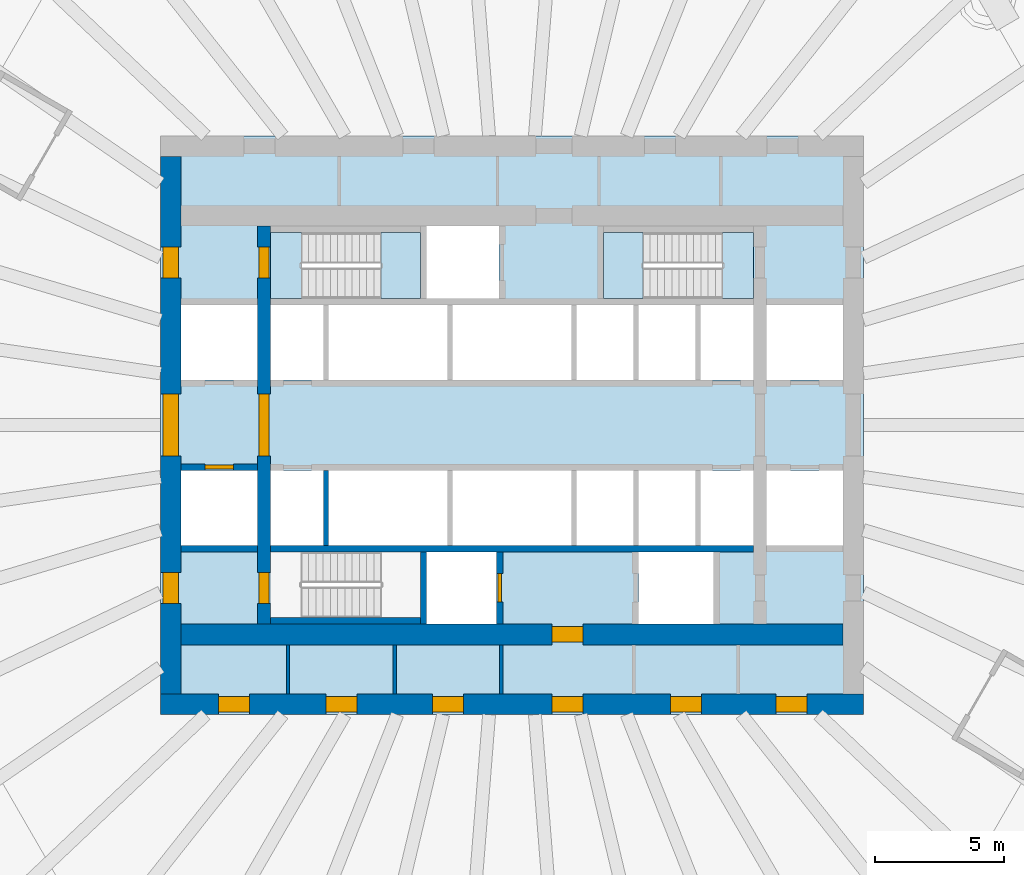
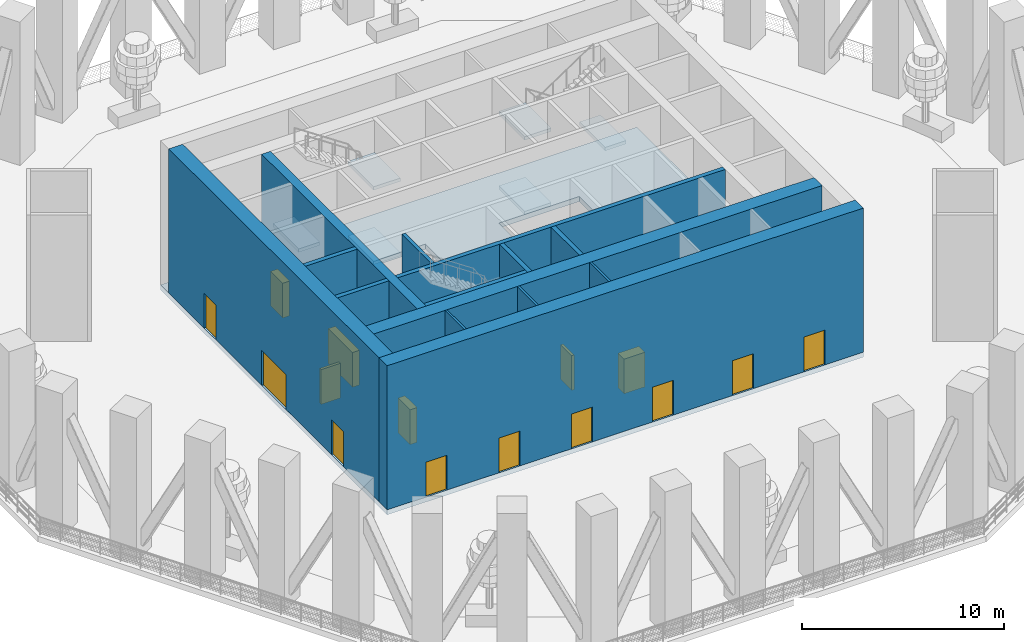
# One storey, part 3 of 10: 15 doors, 14 walls, 7 slabs, 15 openings, 2 elements without a shape of their own.
"""IFC4 building model written with IfcOpenShell, lengths in metres."""

from ifc_helpers import new_model, si_unit, direction, frame, frame_2d, origin, place, context, subcontext, project, spatial, polyline, rectangle, outline, extrude, material, layer, layer_set, type_object, element, fill, aggregate, save


model = new_model("IFC4")

# Units and contexts
model_context = context("Model", 3, precision=1e-05, world=origin(), true_north=direction((0.0, 1.0)))
body_context = subcontext(model_context, "Body", "Model", "MODEL_VIEW")
ifc_project = project(units=[si_unit("LENGTHUNIT", "METRE"), si_unit("AREAUNIT", "SQUARE_METRE"), si_unit("VOLUMEUNIT", "CUBIC_METRE"), si_unit("PLANEANGLEUNIT", "RADIAN"), si_unit("MASSUNIT", "GRAM", prefix="KILO")], contexts=[model_context])

# Site, building, storey
site_placement = place(None, origin())
site = spatial("IfcSite", under=ifc_project, at=site_placement, CompositionType="ELEMENT")
building_placement = place(site_placement, origin())
building = spatial("IfcBuilding", under=site, at=building_placement, Name="Frailejon Research Tower", CompositionType="ELEMENT")
storey_placement = place(building_placement, frame((0.0, 0.0, 71.800048828125)))
storey = spatial("IfcBuildingStorey", under=building, at=storey_placement, Name="L16", CompositionType="ELEMENT", Elevation=71.800048828125)

# Slab
ifc_material_1 = material(Name="Concrete C70/85", Category="concrete")
ifc_layer_1 = layer(ifc_material_1, 0.300048828125)
ifc_layer_set_1 = layer_set([ifc_layer_1], Name="Core floor slab 300 C70/85")
slab_type_1 = type_object("IfcSlabType", Name="Core floor slab 300 C70/85", PredefinedType="FLOOR", material=ifc_layer_set_1)
slab_1_placement = place(storey_placement, frame((0.0, 0.0, -0.300048828125)))
element("IfcSlab", 1, at=slab_1_placement, inside=storey, type_object=slab_type_1, Name="Core floor slab", PredefinedType="FLOOR", context=body_context, shape_type="SweptSolid", body=[
    extrude(outline(polyline([(13.60009765625, -11.199951171875), (13.60009765625, 11.199951171875), (-13.60009765625, 11.199951171875), (-13.60009765625, -11.199951171875), (13.60009765625, -11.199951171875)]), holes=[polyline([(-9.85009765625, 1.75), (-9.85009765625, 4.64990234375), (-12.800048828125, 4.64990234375), (-12.800048828125, 1.75), (-9.85009765625, 1.75)]), polyline([(-7.300048828125, 1.75), (-7.300048828125, 4.64990234375), (-9.35009765625, 4.64990234375), (-9.35009765625, 1.75), (-7.300048828125, 1.75)]), polyline([(-2.5, 1.75), (-2.5, 4.64990234375), (-7.10009765625, 4.64990234375), (-7.10009765625, 1.75), (-2.5, 1.75)]), polyline([(2.300048828125, 1.75), (2.300048828125, 4.64990234375), (-2.300048828125, 4.64990234375), (-2.300048828125, 1.75), (2.300048828125, 1.75)]), polyline([(4.699951171875, 1.75), (4.699951171875, 4.64990234375), (2.5, 4.64990234375), (2.5, 1.75), (4.699951171875, 1.75)]), polyline([(7.10009765625, 1.75), (7.10009765625, 4.64990234375), (4.89990234375, 4.64990234375), (4.89990234375, 1.75), (7.10009765625, 1.75)]), polyline([(9.35009765625, 1.75), (9.35009765625, 4.64990234375), (7.300048828125, 4.64990234375), (7.300048828125, 1.75), (9.35009765625, 1.75)]), polyline([(12.800048828125, 1.75), (12.800048828125, 4.64990234375), (9.85009765625, 4.64990234375), (9.85009765625, 1.75), (12.800048828125, 1.75)]), polyline([(-9.85009765625, -4.64990234375), (-9.85009765625, -1.75), (-12.800048828125, -1.75), (-12.800048828125, -4.64990234375), (-9.85009765625, -4.64990234375)]), polyline([(-7.300048828125, -4.64990234375), (-7.300048828125, -1.75), (-9.35009765625, -1.75), (-9.35009765625, -4.64990234375), (-7.300048828125, -4.64990234375)]), polyline([(-2.5, -4.64990234375), (-2.5, -1.75), (-7.10009765625, -1.75), (-7.10009765625, -4.64990234375), (-2.5, -4.64990234375)]), polyline([(2.300048828125, -4.64990234375), (2.300048828125, -1.75), (-2.300048828125, -1.75), (-2.300048828125, -4.64990234375), (2.300048828125, -4.64990234375)]), polyline([(4.699951171875, -4.64990234375), (4.699951171875, -1.75), (2.5, -1.75), (2.5, -4.64990234375), (4.699951171875, -4.64990234375)]), polyline([(7.10009765625, -4.64990234375), (7.10009765625, -1.75), (4.89990234375, -1.75), (4.89990234375, -4.64990234375), (7.10009765625, -4.64990234375)]), polyline([(9.35009765625, -4.64990234375), (9.35009765625, -1.75), (7.300048828125, -1.75), (7.300048828125, -4.64990234375), (9.35009765625, -4.64990234375)]), polyline([(12.800048828125, -4.64990234375), (12.800048828125, -1.75), (9.85009765625, -1.75), (9.85009765625, -4.64990234375), (12.800048828125, -4.64990234375)]), polyline([(-8.14697265625, 4.89990234375), (-3.550048828125, 4.89990234375), (-3.550048828125, 7.449951171875), (-8.14697265625, 7.449951171875), (-8.14697265625, 4.89990234375)]), polyline([(-8.14697265625, -7.449951171875), (-3.550048828125, -7.449951171875), (-3.550048828125, -4.89990234375), (-8.14697265625, -4.89990234375), (-8.14697265625, -7.449951171875)]), polyline([(8.14697265625, 7.449951171875), (3.550048828125, 7.449951171875), (3.550048828125, 4.89990234375), (8.14697265625, 4.89990234375), (8.14697265625, 7.449951171875)]), polyline([(-0.60009765625, -7.699951171875), (-0.60009765625, -4.89990234375), (-3.300048828125, -4.89990234375), (-3.300048828125, -7.699951171875), (-0.60009765625, -7.699951171875)]), polyline([(7.800048828125, -7.699951171875), (7.800048828125, -4.89990234375), (4.89990234375, -4.89990234375), (4.89990234375, -7.699951171875), (7.800048828125, -7.699951171875)]), polyline([(-0.5, 4.89990234375), (-0.5, 7.699951171875), (-3.300048828125, 7.699951171875), (-3.300048828125, 4.89990234375), (-0.5, 4.89990234375)])]), origin(), (0.0, 0.0, 1.0), 0.300048828125),
])

# Stair, slabs
ifc_material_2 = material(Name="Concrete C50/60", Category="concrete")
stair_type = type_object("IfcStairType", Name="Exit stair 48 risers", PredefinedType="HALF_TURN_STAIR", material=ifc_material_2)
stair_1_placement = place(storey_placement, origin())
stair_1 = element("IfcStair", 2, at=stair_1_placement, inside=storey, type_object=stair_type, Name="L16 Exit stair ST1", PredefinedType="HALF_TURN_STAIR")
ifc_material_3 = material(Name="Concrete C50/60", Category="concrete")
ifc_layer_2 = layer(ifc_material_3, 0.199951171875)
ifc_layer_set_2 = layer_set([ifc_layer_2], Name="Stair landing slab 200")
slab_type_2 = type_object("IfcSlabType", Name="Stair landing slab 200", PredefinedType="LANDING", material=ifc_layer_set_2)
slab_2_placement = place(storey_placement, frame((0.0, 0.0, 2.050048828125)))
slab_2 = element("IfcSlab", 3, at=slab_2_placement, type_object=slab_type_2, Name="ST1 landing 1", PredefinedType="LANDING", context=body_context, shape_type="SweptSolid", body=[
    extrude(outline(polyline([(-5.070068359375, 4.89990234375), (-3.550048828125, 4.89990234375), (-3.550048828125, 7.449951171875), (-5.070068359375, 7.449951171875), (-5.070068359375, 4.89990234375)])), origin(), (0.0, 0.0, 1.0), 0.199951171875),
])
slab_3_placement = place(storey_placement, frame((0.0, 0.0, 4.300048828125)))
slab_3 = element("IfcSlab", 4, at=slab_3_placement, type_object=slab_type_2, Name="ST1 landing 2", PredefinedType="LANDING", context=body_context, shape_type="SweptSolid", body=[
    extrude(outline(polyline([(-9.35009765625, 4.89990234375), (-8.14990234375, 4.89990234375), (-8.14990234375, 7.449951171875), (-9.35009765625, 7.449951171875), (-9.35009765625, 4.89990234375)])), origin(), (0.0, 0.0, 1.0), 0.199951171875),
])
slab_4_placement = place(storey_placement, frame((0.0, 0.0, 6.550048828125)))
slab_4 = element("IfcSlab", 5, at=slab_4_placement, type_object=slab_type_2, Name="ST1 landing 3", PredefinedType="LANDING", context=body_context, shape_type="SweptSolid", body=[
    extrude(outline(polyline([(-5.070068359375, 4.89990234375), (-3.550048828125, 4.89990234375), (-3.550048828125, 7.449951171875), (-5.070068359375, 7.449951171875), (-5.070068359375, 4.89990234375)])), origin(), (0.0, 0.0, 1.0), 0.199951171875),
])
aggregate(stair_1, [slab_2, slab_3, slab_4])

stair_2_placement = place(storey_placement, origin())
stair_2 = element("IfcStair", 6, at=stair_2_placement, inside=storey, type_object=stair_type, Name="L16 Exit stair ST3", PredefinedType="HALF_TURN_STAIR")
slab_5_placement = place(storey_placement, frame((0.0, 0.0, 2.050048828125)))
slab_5 = element("IfcSlab", 7, at=slab_5_placement, type_object=slab_type_2, Name="ST3 landing 1", PredefinedType="LANDING", context=body_context, shape_type="SweptSolid", body=[
    extrude(outline(polyline([(5.070068359375, 7.449951171875), (3.550048828125, 7.449951171875), (3.550048828125, 4.89990234375), (5.070068359375, 4.89990234375), (5.070068359375, 7.449951171875)])), origin(), (0.0, 0.0, 1.0), 0.199951171875),
])
slab_6_placement = place(storey_placement, frame((0.0, 0.0, 4.300048828125)))
slab_6 = element("IfcSlab", 8, at=slab_6_placement, type_object=slab_type_2, Name="ST3 landing 2", PredefinedType="LANDING", context=body_context, shape_type="SweptSolid", body=[
    extrude(outline(polyline([(9.35009765625, 7.449951171875), (8.14990234375, 7.449951171875), (8.14990234375, 4.89990234375), (9.35009765625, 4.89990234375), (9.35009765625, 7.449951171875)])), origin(), (0.0, 0.0, 1.0), 0.199951171875),
])
slab_7_placement = place(storey_placement, frame((0.0, 0.0, 6.550048828125)))
slab_7 = element("IfcSlab", 9, at=slab_7_placement, type_object=slab_type_2, Name="ST3 landing 3", PredefinedType="LANDING", context=body_context, shape_type="SweptSolid", body=[
    extrude(outline(polyline([(5.070068359375, 7.449951171875), (3.550048828125, 7.449951171875), (3.550048828125, 4.89990234375), (5.070068359375, 4.89990234375), (5.070068359375, 7.449951171875)])), origin(), (0.0, 0.0, 1.0), 0.199951171875),
])
aggregate(stair_2, [slab_5, slab_6, slab_7])

# Walls
ifc_material_4 = material(Name="Plasterboard on steel studs", Category="steel")
ifc_layer_3 = layer(ifc_material_4, 0.125)
ifc_layer_set_3 = layer_set([ifc_layer_3], Name="Core partition 125")
wall_type_1 = type_object("IfcWallType", Name="Core partition 125", PredefinedType="PARTITIONING", material=ifc_layer_set_3)
for number, where, z_axis, x_axis, name in (
    (10, (-8.6708984375, -10.39990234375, 0.0), (0.0, 0.0, 1.0), (0.0, 1.0, 0.0), "Core partition"),
    (11, (-4.541748046875, -10.39990234375, 0.0), (0.0, 0.0, 1.0), (0.0, 1.0, 0.0), "Core partition"),
    (12, (-0.41259765625, -10.39990234375, 0.0), (0.0, 0.0, 1.0), (0.0, 1.0, 0.0), "Core partition"),
):
    element("IfcWall", number, at=place(storey_placement, frame(where, z_axis=z_axis, x_axis=x_axis)), inside=storey, type_object=wall_type_1, Name=name, PredefinedType="PARTITIONING", context=body_context, shape_type="SweptSolid", body=[
        extrude(rectangle(XDim=1.89990234375, YDim=0.125, at=frame_2d((0.949951171875, 0.0))), origin(), (0.0, 0.0, 1.0), 8.699951171875),
    ])

# Wall, openings, doors
ifc_material_5 = material(Name="Concrete C70/85", Category="concrete")
ifc_layer_4 = layer(ifc_material_5, 0.5)
ifc_layer_set_4 = layer_set([ifc_layer_4], Name="Core shear wall 500 C70/85")
wall_type_2 = type_object("IfcWallType", Name="Core shear wall 500 C70/85", PredefinedType="SHEAR", material=ifc_layer_set_4)
wall_1_placement = place(storey_placement, frame((-9.60009765625, -7.699951171875, 0.0), z_axis=(0.0, 0.0, 1.0), x_axis=(0.0, 1.0, 0.0)))
wall_1 = element("IfcWall", 13, at=wall_1_placement, inside=storey, type_object=wall_type_2, Name="Core shear wall", PredefinedType="SHEAR", context=body_context, shape_type="SweptSolid", body=[
    extrude(rectangle(XDim=15.39990234375, YDim=0.5, at=frame_2d((7.699951171875, 0.0))), origin(), (0.0, 0.0, 1.0), 8.699951171875),
])
opening_1_placement = place(wall_1_placement, frame((6.5, 0.0, 0.0)))
opening_1 = element("IfcOpeningElement", 14, at=opening_1_placement, cuts=wall_1, Name="Opening D2", PredefinedType="OPENING", context=body_context, shape_type="SweptSolid", body=[
    extrude(rectangle(XDim=2.39990234375, YDim=2.10009765625, at=frame_2d((1.199951171875, 1.050048828125))), frame((0.0, 0.260009765625, 0.0), z_axis=(0.0, -1.0, 0.0), x_axis=(1.0, 0.0, 0.0)), (0.0, 0.0, 1.0), 0.52001953125),
])
opening_2_placement = place(wall_1_placement, frame((13.39990234375, 0.0, 0.0)))
opening_2 = element("IfcOpeningElement", 15, at=opening_2_placement, cuts=wall_1, Name="Opening D1", PredefinedType="OPENING", context=body_context, shape_type="SweptSolid", body=[
    extrude(rectangle(XDim=1.199951171875, YDim=2.10009765625, at=frame_2d((0.60009765625, 1.050048828125))), frame((0.0, 0.260009765625, 0.0), z_axis=(0.0, -1.0, 0.0), x_axis=(1.0, 0.0, 0.0)), (0.0, 0.0, 1.0), 0.52001953125),
])
opening_3_placement = place(wall_1_placement, frame((0.800048828125, 0.0, 0.0)))
opening_3 = element("IfcOpeningElement", 16, at=opening_3_placement, cuts=wall_1, Name="Opening D1", PredefinedType="OPENING", context=body_context, shape_type="SweptSolid", body=[
    extrude(rectangle(XDim=1.199951171875, YDim=2.10009765625, at=frame_2d((0.60009765625, 1.050048828125))), frame((0.0, 0.260009765625, 0.0), z_axis=(0.0, -1.0, 0.0), x_axis=(1.0, 0.0, 0.0)), (0.0, 0.0, 1.0), 0.52001953125),
])
ifc_material_6 = material(Name="Steel", Category="steel")
door_type_1 = type_object("IfcDoorType", Name="Lobby double door", OperationType="DOUBLE_DOOR_SINGLE_SWING", PredefinedType="DOOR", material=ifc_material_6)
door_1_placement = place(opening_1_placement, origin())
door_1 = element("IfcDoor", 17, at=door_1_placement, inside=storey, type_object=door_type_1, Name="Lobby door", OperationType="DOUBLE_DOOR_SINGLE_SWING", OverallHeight=2.10009765625, OverallWidth=2.39990234375, PredefinedType="DOOR", context=body_context, shape_type="SweptSolid", body=[
    extrude(rectangle(XDim=2.39990234375, YDim=2.10009765625, at=frame_2d((1.199951171875, 1.050048828125))), frame((0.0, 0.199951171875, 0.0), z_axis=(0.0, -1.0, 0.0), x_axis=(1.0, 0.0, 0.0)), (0.0, 0.0, 1.0), 0.39990234375),
])
fill(opening_1, door_1)
ifc_material_7 = material(Name="Steel", Category="steel")
door_type_2 = type_object("IfcDoorType", Name="Stair door", OperationType="SINGLE_SWING_LEFT", PredefinedType="DOOR", material=ifc_material_7)
door_2_placement = place(opening_2_placement, origin())
door_2 = element("IfcDoor", 18, at=door_2_placement, inside=storey, type_object=door_type_2, Name="Stair door ST1", OperationType="SINGLE_SWING_RIGHT", OverallHeight=2.10009765625, OverallWidth=1.199951171875, PredefinedType="DOOR", context=body_context, shape_type="SweptSolid", body=[
    extrude(rectangle(XDim=1.199951171875, YDim=2.10009765625, at=frame_2d((0.60009765625, 1.050048828125))), frame((0.0, 0.199951171875, 0.0), z_axis=(0.0, -1.0, 0.0), x_axis=(1.0, 0.0, 0.0)), (0.0, 0.0, 1.0), 0.39990234375),
])
fill(opening_2, door_2)
door_3_placement = place(opening_3_placement, origin())
door_3 = element("IfcDoor", 19, at=door_3_placement, inside=storey, type_object=door_type_2, Name="Stair door ST2", OperationType="SINGLE_SWING_RIGHT", OverallHeight=2.10009765625, OverallWidth=1.199951171875, PredefinedType="DOOR", context=body_context, shape_type="SweptSolid", body=[
    extrude(rectangle(XDim=1.199951171875, YDim=2.10009765625, at=frame_2d((0.60009765625, 1.050048828125))), frame((0.0, 0.199951171875, 0.0), z_axis=(0.0, -1.0, 0.0), x_axis=(1.0, 0.0, 0.0)), (0.0, 0.0, 1.0), 0.39990234375),
])
fill(opening_3, door_3)

ifc_material_8 = material(Name="Concrete C70/85", Category="concrete")
ifc_layer_5 = layer(ifc_material_8, 0.800048828125)
ifc_layer_set_5 = layer_set([ifc_layer_5], Name="Core shear wall 800 C70/85")
wall_type_3 = type_object("IfcWallType", Name="Core shear wall 800 C70/85", PredefinedType="SHEAR", material=ifc_layer_set_5)
wall_2_placement = place(storey_placement, frame((-13.60009765625, -10.800048828125, 0.0), z_axis=(0.0, 0.0, 1.0), x_axis=(1.0, 0.0, 0.0)))
wall_2 = element("IfcWall", 20, at=wall_2_placement, inside=storey, type_object=wall_type_3, Name="Core shear wall", PredefinedType="SHEAR", context=body_context, shape_type="SweptSolid", body=[
    extrude(rectangle(XDim=27.2001953125, YDim=0.800048828125, at=frame_2d((13.60009765625, 0.0))), origin(), (0.0, 0.0, 1.0), 8.699951171875),
])
opening_4_placement = place(wall_2_placement, frame((2.2333984375, 0.0, 0.0)))
opening_4 = element("IfcOpeningElement", 21, at=opening_4_placement, cuts=wall_2, Name="Opening D6", PredefinedType="OPENING", context=body_context, shape_type="SweptSolid", body=[
    extrude(rectangle(XDim=1.199951171875, YDim=2.10009765625, at=frame_2d((0.60009765625, 1.050048828125))), frame((0.0, 0.409912109375, 0.0), z_axis=(0.0, -1.0, 0.0), x_axis=(1.0, 0.0, 0.0)), (0.0, 0.0, 1.0), 0.820068359375),
])
opening_5_placement = place(wall_2_placement, frame((6.393798828125, 0.0, 0.0)))
opening_5 = element("IfcOpeningElement", 22, at=opening_5_placement, cuts=wall_2, Name="Opening D6", PredefinedType="OPENING", context=body_context, shape_type="SweptSolid", body=[
    extrude(rectangle(XDim=1.199951171875, YDim=2.10009765625, at=frame_2d((0.60009765625, 1.050048828125))), frame((0.0, 0.409912109375, 0.0), z_axis=(0.0, -1.0, 0.0), x_axis=(1.0, 0.0, 0.0)), (0.0, 0.0, 1.0), 0.820068359375),
])
opening_6_placement = place(wall_2_placement, frame((10.52294921875, 0.0, 0.0)))
opening_6 = element("IfcOpeningElement", 23, at=opening_6_placement, cuts=wall_2, Name="Opening D6", PredefinedType="OPENING", context=body_context, shape_type="SweptSolid", body=[
    extrude(rectangle(XDim=1.199951171875, YDim=2.10009765625, at=frame_2d((0.60009765625, 1.050048828125))), frame((0.0, 0.409912109375, 0.0), z_axis=(0.0, -1.0, 0.0), x_axis=(1.0, 0.0, 0.0)), (0.0, 0.0, 1.0), 0.820068359375),
])
opening_7_placement = place(wall_2_placement, frame((19.734375, 0.0, 0.0)))
opening_7 = element("IfcOpeningElement", 24, at=opening_7_placement, cuts=wall_2, Name="Opening D6", PredefinedType="OPENING", context=body_context, shape_type="SweptSolid", body=[
    extrude(rectangle(XDim=1.199951171875, YDim=2.10009765625, at=frame_2d((0.60009765625, 1.050048828125))), frame((0.0, 0.409912109375, 0.0), z_axis=(0.0, -1.0, 0.0), x_axis=(1.0, 0.0, 0.0)), (0.0, 0.0, 1.0), 0.820068359375),
])
opening_8_placement = place(wall_2_placement, frame((23.809326171875, 0.0, 0.0)))
opening_8 = element("IfcOpeningElement", 25, at=opening_8_placement, cuts=wall_2, Name="Opening D6", PredefinedType="OPENING", context=body_context, shape_type="SweptSolid", body=[
    extrude(rectangle(XDim=1.199951171875, YDim=2.10009765625, at=frame_2d((0.60009765625, 1.050048828125))), frame((0.0, 0.409912109375, 0.0), z_axis=(0.0, -1.0, 0.0), x_axis=(1.0, 0.0, 0.0)), (0.0, 0.0, 1.0), 0.820068359375),
])
opening_9_placement = place(wall_2_placement, frame((15.14990234375, 0.0, 0.0)))
opening_9 = element("IfcOpeningElement", 26, at=opening_9_placement, cuts=wall_2, Name="Opening D3", PredefinedType="OPENING", context=body_context, shape_type="SweptSolid", body=[
    extrude(rectangle(XDim=1.199951171875, YDim=2.10009765625, at=frame_2d((0.60009765625, 1.050048828125))), frame((0.0, 0.409912109375, 0.0), z_axis=(0.0, -1.0, 0.0), x_axis=(1.0, 0.0, 0.0)), (0.0, 0.0, 1.0), 0.820068359375),
])
ifc_material_9 = material(Name="Steel", Category="steel")
door_type_3 = type_object("IfcDoorType", Name="Firefighting lobby door", OperationType="SINGLE_SWING_LEFT", PredefinedType="DOOR", material=ifc_material_9)
door_4_placement = place(opening_9_placement, origin())
door_4 = element("IfcDoor", 27, at=door_4_placement, inside=storey, type_object=door_type_3, Name="Passage door", OperationType="SINGLE_SWING_RIGHT", OverallHeight=2.10009765625, OverallWidth=1.199951171875, PredefinedType="DOOR", context=body_context, shape_type="SweptSolid", body=[
    extrude(rectangle(XDim=1.199951171875, YDim=2.10009765625, at=frame_2d((0.60009765625, 1.050048828125))), frame((0.0, 0.300048828125, 0.0), z_axis=(0.0, -1.0, 0.0), x_axis=(1.0, 0.0, 0.0)), (0.0, 0.0, 1.0), 0.60009765625),
])
fill(opening_9, door_4)
ifc_material_10 = material(Name="Steel", Category="steel")
door_type_4 = type_object("IfcDoorType", Name="Plant door", OperationType="SINGLE_SWING_LEFT", PredefinedType="DOOR", material=ifc_material_10)
door_5_placement = place(opening_4_placement, origin())
door_5 = element("IfcDoor", 28, at=door_5_placement, inside=storey, type_object=door_type_4, Name="Room door", OperationType="SINGLE_SWING_LEFT", OverallHeight=2.10009765625, OverallWidth=1.199951171875, PredefinedType="DOOR", context=body_context, shape_type="SweptSolid", body=[
    extrude(rectangle(XDim=1.199951171875, YDim=2.10009765625, at=frame_2d((0.60009765625, 1.050048828125))), frame((0.0, 0.300048828125, 0.0), z_axis=(0.0, -1.0, 0.0), x_axis=(1.0, 0.0, 0.0)), (0.0, 0.0, 1.0), 0.60009765625),
])
fill(opening_4, door_5)
door_6_placement = place(opening_5_placement, origin())
door_6 = element("IfcDoor", 29, at=door_6_placement, inside=storey, type_object=door_type_4, Name="Room door", OperationType="SINGLE_SWING_RIGHT", OverallHeight=2.10009765625, OverallWidth=1.199951171875, PredefinedType="DOOR", context=body_context, shape_type="SweptSolid", body=[
    extrude(rectangle(XDim=1.199951171875, YDim=2.10009765625, at=frame_2d((0.60009765625, 1.050048828125))), frame((0.0, 0.300048828125, 0.0), z_axis=(0.0, -1.0, 0.0), x_axis=(1.0, 0.0, 0.0)), (0.0, 0.0, 1.0), 0.60009765625),
])
fill(opening_5, door_6)
door_7_placement = place(opening_6_placement, origin())
door_7 = element("IfcDoor", 30, at=door_7_placement, inside=storey, type_object=door_type_4, Name="Room door", OperationType="SINGLE_SWING_LEFT", OverallHeight=2.10009765625, OverallWidth=1.199951171875, PredefinedType="DOOR", context=body_context, shape_type="SweptSolid", body=[
    extrude(rectangle(XDim=1.199951171875, YDim=2.10009765625, at=frame_2d((0.60009765625, 1.050048828125))), frame((0.0, 0.300048828125, 0.0), z_axis=(0.0, -1.0, 0.0), x_axis=(1.0, 0.0, 0.0)), (0.0, 0.0, 1.0), 0.60009765625),
])
fill(opening_6, door_7)
door_8_placement = place(opening_7_placement, origin())
door_8 = element("IfcDoor", 31, at=door_8_placement, inside=storey, type_object=door_type_4, Name="Room door", OperationType="SINGLE_SWING_RIGHT", OverallHeight=2.10009765625, OverallWidth=1.199951171875, PredefinedType="DOOR", context=body_context, shape_type="SweptSolid", body=[
    extrude(rectangle(XDim=1.199951171875, YDim=2.10009765625, at=frame_2d((0.60009765625, 1.050048828125))), frame((0.0, 0.300048828125, 0.0), z_axis=(0.0, -1.0, 0.0), x_axis=(1.0, 0.0, 0.0)), (0.0, 0.0, 1.0), 0.60009765625),
])
fill(opening_7, door_8)
door_9_placement = place(opening_8_placement, origin())
door_9 = element("IfcDoor", 32, at=door_9_placement, inside=storey, type_object=door_type_4, Name="Room door", OperationType="SINGLE_SWING_LEFT", OverallHeight=2.10009765625, OverallWidth=1.199951171875, PredefinedType="DOOR", context=body_context, shape_type="SweptSolid", body=[
    extrude(rectangle(XDim=1.199951171875, YDim=2.10009765625, at=frame_2d((0.60009765625, 1.050048828125))), frame((0.0, 0.300048828125, 0.0), z_axis=(0.0, -1.0, 0.0), x_axis=(1.0, 0.0, 0.0)), (0.0, 0.0, 1.0), 0.60009765625),
])
fill(opening_8, door_9)

wall_3_placement = place(storey_placement, frame((-13.199951171875, -10.39990234375, 0.0), z_axis=(0.0, 0.0, 1.0), x_axis=(0.0, 1.0, 0.0)))
wall_3 = element("IfcWall", 33, at=wall_3_placement, inside=storey, type_object=wall_type_3, Name="Core shear wall", PredefinedType="SHEAR", context=body_context, shape_type="SweptSolid", body=[
    extrude(rectangle(XDim=20.7998046875, YDim=0.800048828125, at=frame_2d((10.39990234375, 0.0))), origin(), (0.0, 0.0, 1.0), 8.699951171875),
])
opening_10_placement = place(wall_3_placement, frame((9.199951171875, 0.0, 0.0)))
opening_10 = element("IfcOpeningElement", 34, at=opening_10_placement, cuts=wall_3, Name="Opening D2", PredefinedType="OPENING", context=body_context, shape_type="SweptSolid", body=[
    extrude(rectangle(XDim=2.39990234375, YDim=2.10009765625, at=frame_2d((1.199951171875, 1.050048828125))), frame((0.0, 0.409912109375, 0.0), z_axis=(0.0, -1.0, 0.0), x_axis=(1.0, 0.0, 0.0)), (0.0, 0.0, 1.0), 0.820068359375),
])
opening_11_placement = place(wall_3_placement, frame((16.10009765625, 0.0, 0.0)))
opening_11 = element("IfcOpeningElement", 35, at=opening_11_placement, cuts=wall_3, Name="Opening D7", PredefinedType="OPENING", context=body_context, shape_type="SweptSolid", body=[
    extrude(rectangle(XDim=1.199951171875, YDim=2.10009765625, at=frame_2d((0.60009765625, 1.050048828125))), frame((0.0, 0.409912109375, 0.0), z_axis=(0.0, -1.0, 0.0), x_axis=(1.0, 0.0, 0.0)), (0.0, 0.0, 1.0), 0.820068359375),
])
opening_12_placement = place(wall_3_placement, frame((3.5, 0.0, 0.0)))
opening_12 = element("IfcOpeningElement", 36, at=opening_12_placement, cuts=wall_3, Name="Opening D7", PredefinedType="OPENING", context=body_context, shape_type="SweptSolid", body=[
    extrude(rectangle(XDim=1.199951171875, YDim=2.10009765625, at=frame_2d((0.60009765625, 1.050048828125))), frame((0.0, 0.409912109375, 0.0), z_axis=(0.0, -1.0, 0.0), x_axis=(1.0, 0.0, 0.0)), (0.0, 0.0, 1.0), 0.820068359375),
])
door_10_placement = place(opening_10_placement, origin())
door_10 = element("IfcDoor", 37, at=door_10_placement, inside=storey, type_object=door_type_1, Name="Lobby door", OperationType="DOUBLE_DOOR_SINGLE_SWING", OverallHeight=2.10009765625, OverallWidth=2.39990234375, PredefinedType="DOOR", context=body_context, shape_type="SweptSolid", body=[
    extrude(rectangle(XDim=2.39990234375, YDim=2.10009765625, at=frame_2d((1.199951171875, 1.050048828125))), frame((0.0, 0.300048828125, 0.0), z_axis=(0.0, -1.0, 0.0), x_axis=(1.0, 0.0, 0.0)), (0.0, 0.0, 1.0), 0.60009765625),
])
fill(opening_10, door_10)
ifc_material_11 = material(Name="Steel", Category="steel")
door_type_5 = type_object("IfcDoorType", Name="Stair exit door", OperationType="SINGLE_SWING_LEFT", PredefinedType="DOOR", material=ifc_material_11)
door_11_placement = place(opening_11_placement, origin())
door_11 = element("IfcDoor", 38, at=door_11_placement, inside=storey, type_object=door_type_5, Name="Stair exit door ST1", OperationType="SINGLE_SWING_LEFT", OverallHeight=2.10009765625, OverallWidth=1.199951171875, PredefinedType="DOOR", context=body_context, shape_type="SweptSolid", body=[
    extrude(rectangle(XDim=1.199951171875, YDim=2.10009765625, at=frame_2d((0.60009765625, 1.050048828125))), frame((0.0, 0.300048828125, 0.0), z_axis=(0.0, -1.0, 0.0), x_axis=(1.0, 0.0, 0.0)), (0.0, 0.0, 1.0), 0.60009765625),
])
fill(opening_11, door_11)
door_12_placement = place(opening_12_placement, origin())
door_12 = element("IfcDoor", 39, at=door_12_placement, inside=storey, type_object=door_type_5, Name="Stair exit door ST2", OperationType="SINGLE_SWING_LEFT", OverallHeight=2.10009765625, OverallWidth=1.199951171875, PredefinedType="DOOR", context=body_context, shape_type="SweptSolid", body=[
    extrude(rectangle(XDim=1.199951171875, YDim=2.10009765625, at=frame_2d((0.60009765625, 1.050048828125))), frame((0.0, 0.300048828125, 0.0), z_axis=(0.0, -1.0, 0.0), x_axis=(1.0, 0.0, 0.0)), (0.0, 0.0, 1.0), 0.60009765625),
])
fill(opening_12, door_12)

# Wall, opening, door
wall_4_placement = place(storey_placement, frame((-12.800048828125, -8.10009765625, 0.0), z_axis=(0.0, 0.0, 1.0), x_axis=(1.0, 0.0, 0.0)))
wall_4 = element("IfcWall", 40, at=wall_4_placement, inside=storey, type_object=wall_type_3, Name="Core shear wall", PredefinedType="SHEAR", context=body_context, shape_type="SweptSolid", body=[
    extrude(rectangle(XDim=25.60009765625, YDim=0.800048828125, at=frame_2d((12.800048828125, 0.0))), origin(), (0.0, 0.0, 1.0), 8.699951171875),
])
opening_13_placement = place(wall_4_placement, frame((14.35009765625, 0.0, 0.0)))
opening_13 = element("IfcOpeningElement", 41, at=opening_13_placement, cuts=wall_4, Name="Opening D3", PredefinedType="OPENING", context=body_context, shape_type="SweptSolid", body=[
    extrude(rectangle(XDim=1.199951171875, YDim=2.10009765625, at=frame_2d((0.60009765625, 1.050048828125))), frame((0.0, 0.409912109375, 0.0), z_axis=(0.0, -1.0, 0.0), x_axis=(1.0, 0.0, 0.0)), (0.0, 0.0, 1.0), 0.820068359375),
])
door_13_placement = place(opening_13_placement, origin())
door_13 = element("IfcDoor", 42, at=door_13_placement, inside=storey, type_object=door_type_3, Name="Firefighting lobby door", OperationType="SINGLE_SWING_RIGHT", OverallHeight=2.10009765625, OverallWidth=1.199951171875, PredefinedType="DOOR", context=body_context, shape_type="SweptSolid", body=[
    extrude(rectangle(XDim=1.199951171875, YDim=2.10009765625, at=frame_2d((0.60009765625, 1.050048828125))), frame((0.0, 0.300048828125, 0.0), z_axis=(0.0, -1.0, 0.0), x_axis=(1.0, 0.0, 0.0)), (0.0, 0.0, 1.0), 0.60009765625),
])
fill(opening_13, door_13)

# Wall
ifc_material_12 = material(Name="Concrete C70/85", Category="concrete")
ifc_layer_6 = layer(ifc_material_12, 0.199951171875)
ifc_layer_set_6 = layer_set([ifc_layer_6], Name="Shaft wall 200 C70/85")
wall_type_4 = type_object("IfcWallType", Name="Shaft wall 200 C70/85", PredefinedType="SOLIDWALL", material=ifc_layer_set_6)
wall_5_placement = place(storey_placement, frame((-7.199951171875, -4.64990234375, 0.0), z_axis=(0.0, 0.0, 1.0), x_axis=(0.0, 1.0, 0.0)))
element("IfcWall", 43, at=wall_5_placement, inside=storey, type_object=wall_type_4, Name="Shaft wall", PredefinedType="SOLIDWALL", context=body_context, shape_type="SweptSolid", body=[
    extrude(rectangle(XDim=2.89990234375, YDim=0.199951171875, at=frame_2d((1.449951171875, 0.0))), origin(), (0.0, 0.0, 1.0), 8.699951171875),
])

# Wall, opening, door
ifc_material_13 = material(Name="Concrete C70/85", Category="concrete")
ifc_layer_7 = layer(ifc_material_13, 0.25)
ifc_layer_set_7 = layer_set([ifc_layer_7], Name="Shaft wall 250 C70/85")
wall_type_5 = type_object("IfcWallType", Name="Shaft wall 250 C70/85", PredefinedType="SOLIDWALL", material=ifc_layer_set_7)
wall_6_placement = place(storey_placement, frame((-12.800048828125, -1.625, 0.0), z_axis=(0.0, 0.0, 1.0), x_axis=(1.0, 0.0, 0.0)))
wall_6 = element("IfcWall", 44, at=wall_6_placement, inside=storey, type_object=wall_type_5, Name="Shaft wall", PredefinedType="SOLIDWALL", context=body_context, shape_type="SweptSolid", body=[
    extrude(rectangle(XDim=2.949951171875, YDim=0.25, at=frame_2d((1.47509765625, 0.0))), origin(), (0.0, 0.0, 1.0), 8.699951171875),
])
opening_14_placement = place(wall_6_placement, frame((0.925048828125, 0.0, 0.0)))
opening_14 = element("IfcOpeningElement", 45, at=opening_14_placement, cuts=wall_6, Name="Opening LD", PredefinedType="OPENING", context=body_context, shape_type="SweptSolid", body=[
    extrude(rectangle(XDim=1.10009765625, YDim=2.10009765625, at=frame_2d((0.550048828125, 1.050048828125))), frame((0.0, 0.135009765625, 0.0), z_axis=(0.0, -1.0, 0.0), x_axis=(1.0, 0.0, 0.0)), (0.0, 0.0, 1.0), 0.27001953125),
])
ifc_material_14 = material(Name="Steel", Category="steel")
door_type_6 = type_object("IfcDoorType", Name="Lift landing door", OperationType="DOUBLE_DOOR_SLIDING", PredefinedType="DOOR", material=ifc_material_14)
door_14_placement = place(opening_14_placement, origin())
door_14 = element("IfcDoor", 46, at=door_14_placement, inside=storey, type_object=door_type_6, Name="Lift landing door", OperationType="DOUBLE_DOOR_SLIDING", OverallHeight=2.10009765625, OverallWidth=1.10009765625, PredefinedType="DOOR", context=body_context, shape_type="SweptSolid", body=[
    extrude(rectangle(XDim=1.10009765625, YDim=2.10009765625, at=frame_2d((0.550048828125, 1.050048828125))), frame((0.0, 0.074951171875, 0.0), z_axis=(0.0, -1.0, 0.0), x_axis=(1.0, 0.0, 0.0)), (0.0, 0.0, 1.0), 0.14990234375),
])
fill(opening_14, door_14)

# Walls
wall_7_placement = place(storey_placement, frame((-12.800048828125, -4.77490234375, 0.0), z_axis=(0.0, 0.0, 1.0), x_axis=(1.0, 0.0, 0.0)))
element("IfcWall", 47, at=wall_7_placement, inside=storey, type_object=wall_type_5, Name="Shaft wall", PredefinedType="SOLIDWALL", context=body_context, shape_type="SweptSolid", body=[
    extrude(rectangle(XDim=2.949951171875, YDim=0.25, at=frame_2d((1.47509765625, 0.0))), origin(), (0.0, 0.0, 1.0), 8.699951171875),
])
wall_8_placement = place(storey_placement, frame((-9.35009765625, -4.77490234375, 0.0), z_axis=(0.0, 0.0, 1.0), x_axis=(1.0, 0.0, 0.0)))
element("IfcWall", 48, at=wall_8_placement, inside=storey, type_object=wall_type_5, Name="Shaft wall", PredefinedType="SOLIDWALL", context=body_context, shape_type="SweptSolid", body=[
    extrude(rectangle(XDim=18.7001953125, YDim=0.25, at=frame_2d((9.35009765625, 0.0))), origin(), (0.0, 0.0, 1.0), 8.699951171875),
])
wall_9_placement = place(storey_placement, frame((-9.35009765625, -7.574951171875, 0.0), z_axis=(0.0, 0.0, 1.0), x_axis=(1.0, 0.0, 0.0)))
element("IfcWall", 49, at=wall_9_placement, inside=storey, type_object=wall_type_5, Name="Shaft wall", PredefinedType="SOLIDWALL", context=body_context, shape_type="SweptSolid", body=[
    extrude(rectangle(XDim=5.800048828125, YDim=0.25, at=frame_2d((2.89990234375, 0.0))), origin(), (0.0, 0.0, 1.0), 8.699951171875),
])
wall_10_placement = place(storey_placement, frame((-3.425048828125, -7.699951171875, 0.0), z_axis=(0.0, 0.0, 1.0), x_axis=(0.0, 1.0, 0.0)))
element("IfcWall", 50, at=wall_10_placement, inside=storey, type_object=wall_type_5, Name="Shaft wall", PredefinedType="SOLIDWALL", context=body_context, shape_type="SweptSolid", body=[
    extrude(rectangle(XDim=2.800048828125, YDim=0.25, at=frame_2d((1.39990234375, 0.0))), origin(), (0.0, 0.0, 1.0), 8.699951171875),
])

# Wall, opening, door
wall_11_placement = place(storey_placement, frame((-0.47509765625, -7.699951171875, 0.0), z_axis=(0.0, 0.0, 1.0), x_axis=(0.0, 1.0, 0.0)))
wall_11 = element("IfcWall", 51, at=wall_11_placement, inside=storey, type_object=wall_type_5, Name="Shaft wall", PredefinedType="SOLIDWALL", context=body_context, shape_type="SweptSolid", body=[
    extrude(rectangle(XDim=2.800048828125, YDim=0.25, at=frame_2d((1.39990234375, 0.0))), origin(), (0.0, 0.0, 1.0), 8.699951171875),
])
opening_15_placement = place(wall_11_placement, frame((0.85009765625, 0.0, 0.0)))
opening_15 = element("IfcOpeningElement", 52, at=opening_15_placement, cuts=wall_11, Name="Opening LD", PredefinedType="OPENING", context=body_context, shape_type="SweptSolid", body=[
    extrude(rectangle(XDim=1.10009765625, YDim=2.10009765625, at=frame_2d((0.550048828125, 1.050048828125))), frame((0.0, 0.135009765625, 0.0), z_axis=(0.0, -1.0, 0.0), x_axis=(1.0, 0.0, 0.0)), (0.0, 0.0, 1.0), 0.27001953125),
])
door_15_placement = place(opening_15_placement, origin())
door_15 = element("IfcDoor", 53, at=door_15_placement, inside=storey, type_object=door_type_6, Name="Lift landing door", OperationType="DOUBLE_DOOR_SLIDING", OverallHeight=2.10009765625, OverallWidth=1.10009765625, PredefinedType="DOOR", context=body_context, shape_type="SweptSolid", body=[
    extrude(rectangle(XDim=1.10009765625, YDim=2.10009765625, at=frame_2d((0.550048828125, 1.050048828125))), frame((0.0, 0.074951171875, 0.0), z_axis=(0.0, -1.0, 0.0), x_axis=(1.0, 0.0, 0.0)), (0.0, 0.0, 1.0), 0.14990234375),
])
fill(opening_15, door_15)

save(model, "model.ifc")
